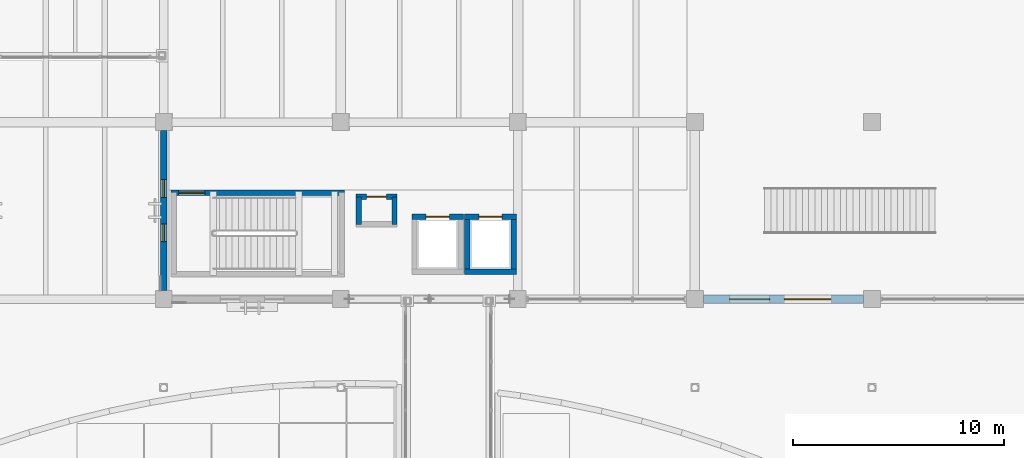
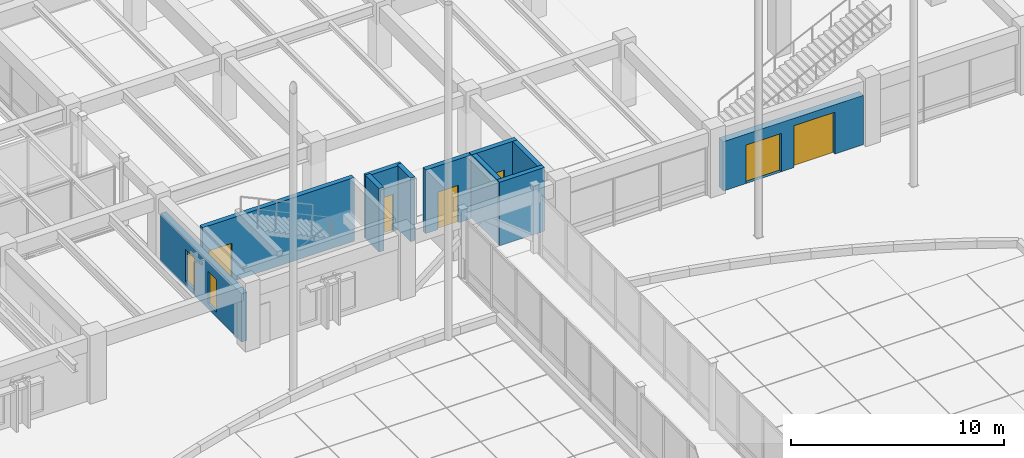
# One storey, part 93 of 135: 11 walls, 6 doors, 2 windows, 8 openings.
"""IFC4 building model written with IfcOpenShell, lengths in metres."""

from ifc_helpers import new_model, si_unit, direction, frame, frame_2d, origin, place, context, subcontext, project, spatial, rectangle, extrude, material, layer, layer_set, type_object, element, fill, save


model = new_model("IFC4")

# Units and contexts
model_context = context("Model", 3, precision=1e-05, world=origin(), true_north=direction((0.0, 1.0)))
body_context = subcontext(model_context, "Body", "Model", "MODEL_VIEW")
ifc_project = project(units=[si_unit("LENGTHUNIT", "METRE"), si_unit("AREAUNIT", "SQUARE_METRE"), si_unit("VOLUMEUNIT", "CUBIC_METRE"), si_unit("PLANEANGLEUNIT", "RADIAN"), si_unit("MASSUNIT", "GRAM", prefix="KILO")], contexts=[model_context])

# Site, building, storey
site_placement = place(None, origin())
site = spatial("IfcSite", under=ifc_project, at=site_placement, CompositionType="ELEMENT")
building_placement = place(site_placement, origin())
building = spatial("IfcBuilding", under=site, at=building_placement, Name="Cumbredor Promenade Congress Hotel", CompositionType="ELEMENT")
storey_placement = place(building_placement, origin())
storey = spatial("IfcBuildingStorey", under=building, at=storey_placement, Name="L00", CompositionType="ELEMENT", Elevation=0.0)

# Wall, openings, windows
ifc_material_1 = material(Name="Concrete C40/50", Category="concrete")
ifc_layer_1 = layer(ifc_material_1, 0.300048828125, Name="Concrete C40/50", Category="concrete")
ifc_layer_set_1 = layer_set([ifc_layer_1], Name="Concrete C40/50")
wall_type_1 = type_object("IfcWallType", Name="WL-EXT-300", PredefinedType="SOLIDWALL", material=ifc_layer_set_1)
wall_1_placement = place(storey_placement, frame((92.39990234375, 84.40087890625, 0.0), z_axis=(0.0, 0.0, 1.0), x_axis=(0.0, 1.0, 0.0)))
wall_1 = element("IfcWall", 1, at=wall_1_placement, inside=storey, type_object=wall_type_1, Name="L00 Pre-Function and Breakout Meeting Forum West Envelope Wall 1", PredefinedType="SOLIDWALL", context=body_context, shape_type="SweptSolid", body=[
    extrude(rectangle(XDim=7.59814453125, YDim=0.300048828125, at=frame_2d((3.799072265625, 0.0))), origin(), (0.0, 0.0, 1.0), 2.77490234375),
])
opening_1_placement = place(wall_1_placement, frame((2.3291015625, 0.0, 0.300048828125)))
opening_1 = element("IfcOpeningElement", 2, at=opening_1_placement, cuts=wall_1, Name="Opening WN-47", PredefinedType="OPENING", context=body_context, shape_type="SweptSolid", body=[
    extrude(rectangle(XDim=0.840087890625, YDim=1.85009765625, at=frame_2d((0.419921875, 0.925048828125))), frame((0.0, 0.16015625, 0.0), z_axis=(0.0, -1.0, 0.0), x_axis=(1.0, 0.0, 0.0)), (0.0, 0.0, 1.0), 0.320068359375),
])
opening_2_placement = place(wall_1_placement, frame((4.428955078125, 0.0, 0.300048828125)))
opening_2 = element("IfcOpeningElement", 3, at=opening_2_placement, cuts=wall_1, Name="Opening WN-47", PredefinedType="OPENING", context=body_context, shape_type="SweptSolid", body=[
    extrude(rectangle(XDim=0.840087890625, YDim=1.85009765625, at=frame_2d((0.419921875, 0.925048828125))), frame((0.0, 0.16015625, 0.0), z_axis=(0.0, -1.0, 0.0), x_axis=(1.0, 0.0, 0.0)), (0.0, 0.0, 1.0), 0.320068359375),
])
ifc_material_2 = material(Name="Thermally broken anodized aluminium and low-E glass", Category="aluminium")
window_type = type_object("IfcWindowType", Name="Vertical Slot Window WN-47 840x1850", PartitioningType="SINGLE_PANEL", PredefinedType="WINDOW", material=ifc_material_2)
window_1_placement = place(opening_1_placement, origin())
window_1 = element("IfcWindow", 4, at=window_1_placement, inside=storey, type_object=window_type, Name="L00 Vertical Slot Window 0053", OverallHeight=1.85009765625, OverallWidth=0.840087890625, PartitioningType="SINGLE_PANEL", PredefinedType="WINDOW", context=body_context, shape_type="SweptSolid", body=[
    extrude(rectangle(XDim=0.840087890625, YDim=1.85009765625, at=frame_2d((0.419921875, 0.925048828125))), frame((0.0, 0.030029296875, 0.0), z_axis=(0.0, -1.0, 0.0), x_axis=(1.0, 0.0, 0.0)), (0.0, 0.0, 1.0), 0.06005859375),
])
fill(opening_1, window_1)
window_2_placement = place(opening_2_placement, origin())
window_2 = element("IfcWindow", 5, at=window_2_placement, inside=storey, type_object=window_type, Name="L00 Vertical Slot Window 0054", OverallHeight=1.85009765625, OverallWidth=0.840087890625, PartitioningType="SINGLE_PANEL", PredefinedType="WINDOW", context=body_context, shape_type="SweptSolid", body=[
    extrude(rectangle(XDim=0.840087890625, YDim=1.85009765625, at=frame_2d((0.419921875, 0.925048828125))), frame((0.0, 0.030029296875, 0.0), z_axis=(0.0, -1.0, 0.0), x_axis=(1.0, 0.0, 0.0)), (0.0, 0.0, 1.0), 0.06005859375),
])
fill(opening_2, window_2)

# Wall, openings, doors
ifc_layer_2 = layer(ifc_material_1, 0.3798828125, Name="Concrete C40/50", Category="concrete")
ifc_layer_set_2 = layer_set([ifc_layer_2], Name="Concrete C40/50")
wall_type_2 = type_object("IfcWallType", Name="WL-EXT-380", PredefinedType="SOLIDWALL", material=ifc_layer_set_2)
wall_2_placement = place(storey_placement, frame((118.0009765625, 84.0, 0.0), z_axis=(0.0, 0.0, 1.0), x_axis=(1.0, 0.0, 0.0)))
wall_2 = element("IfcWall", 6, at=wall_2_placement, inside=storey, type_object=wall_type_2, Name="L00 Pre-Function and Breakout Meeting Forum South Envelope Wall 4", PredefinedType="SOLIDWALL", context=body_context, shape_type="SweptSolid", body=[
    extrude(rectangle(XDim=7.59814453125, YDim=0.3798828125, at=frame_2d((3.799072265625, 0.0))), origin(), (0.0, 0.0, 1.0), 2.824951171875),
])
opening_3_placement = place(wall_2_placement, frame((1.2490234375, 0.0, 0.0)))
opening_3 = element("IfcOpeningElement", 7, at=opening_3_placement, cuts=wall_2, Name="Opening EX-02", PredefinedType="OPENING", context=body_context, shape_type="SweptSolid", body=[
    extrude(rectangle(XDim=1.89990234375, YDim=2.199951171875, at=frame_2d((0.949951171875, 1.10009765625))), frame((0.0, 0.199951171875, 0.0), z_axis=(0.0, -1.0, 0.0), x_axis=(1.0, 0.0, 0.0)), (0.0, 0.0, 1.0), 0.39990234375),
])
opening_4_placement = place(wall_2_placement, frame((3.847900390625, 0.0, 0.0)))
opening_4 = element("IfcOpeningElement", 8, at=opening_4_placement, cuts=wall_2, Name="Opening EX-04", PredefinedType="OPENING", context=body_context, shape_type="SweptSolid", body=[
    extrude(rectangle(XDim=2.199951171875, YDim=2.39990234375, at=frame_2d((1.10009765625, 1.199951171875))), frame((0.0, 0.199951171875, 0.0), z_axis=(0.0, -1.0, 0.0), x_axis=(1.0, 0.0, 0.0)), (0.0, 0.0, 1.0), 0.39990234375),
])
ifc_material_3 = material(Name="Thermally broken anodized aluminium and laminated safety glass", Category="aluminium")
door_type_1 = type_object("IfcDoorType", Name="EXT-DR-EXIT-1900x2200", OperationType="DOUBLE_DOOR_SINGLE_SWING", PredefinedType="DOOR", material=ifc_material_3)
door_1_placement = place(opening_3_placement, frame((1.89990234375, 0.0, 0.0), z_axis=(0.0, 0.0, 1.0), x_axis=(-1.0, 0.0, 0.0)))
door_1 = element("IfcDoor", 9, at=door_1_placement, inside=storey, type_object=door_type_1, Name="L00 Pre-Function and Breakout Meeting Forum South Final Exit Door 21.1", OperationType="DOUBLE_DOOR_SINGLE_SWING", OverallHeight=2.199951171875, OverallWidth=1.89990234375, PredefinedType="DOOR", context=body_context, shape_type="SweptSolid", body=[
    extrude(rectangle(XDim=1.89990234375, YDim=2.199951171875, at=frame_2d((0.949951171875, 1.10009765625))), frame((0.0, 0.02490234375, 0.0), z_axis=(0.0, -1.0, 0.0), x_axis=(1.0, 0.0, 0.0)), (0.0, 0.0, 1.0), 0.050048828125),
])
fill(opening_3, door_1)
door_type_2 = type_object("IfcDoorType", Name="EXT-DR-EXIT-2200x2400", OperationType="DOUBLE_DOOR_SINGLE_SWING", PredefinedType="DOOR", material=ifc_material_3)
door_2_placement = place(opening_4_placement, frame((2.199951171875, 0.0, 0.0), z_axis=(0.0, 0.0, 1.0), x_axis=(-1.0, 0.0, 0.0)))
door_2 = element("IfcDoor", 10, at=door_2_placement, inside=storey, type_object=door_type_2, Name="L00 Pre-Function and Breakout Meeting Forum South Final Exit Door 21.2", OperationType="DOUBLE_DOOR_SINGLE_SWING", OverallHeight=2.39990234375, OverallWidth=2.199951171875, PredefinedType="DOOR", context=body_context, shape_type="SweptSolid", body=[
    extrude(rectangle(XDim=2.199951171875, YDim=2.39990234375, at=frame_2d((1.10009765625, 1.199951171875))), frame((0.0, 0.02490234375, 0.0), z_axis=(0.0, -1.0, 0.0), x_axis=(1.0, 0.0, 0.0)), (0.0, 0.0, 1.0), 0.050048828125),
])
fill(opening_4, door_2)

# Wall, opening, door
ifc_layer_3 = layer(ifc_material_1, 0.2548828125, Name="Concrete C40/50", Category="concrete")
ifc_layer_set_3 = layer_set([ifc_layer_3], Name="Concrete C40/50")
wall_type_3 = type_object("IfcWallType", Name="WL-SHAFT-250", PredefinedType="SOLIDWALL", material=ifc_layer_set_3)
wall_3_placement = place(storey_placement, frame((92.75244140625, 89.050048828125, 0.0), z_axis=(0.0, 0.0, 1.0), x_axis=(1.0, 0.0, 0.0)))
wall_3 = element("IfcWall", 11, at=wall_3_placement, inside=storey, type_object=wall_type_3, Name="STAIR-ST-13-L00 Shaft Wall North", PredefinedType="SOLIDWALL", context=body_context, shape_type="SweptSolid", body=[
    extrude(rectangle(XDim=8.22509765625, YDim=0.2548828125, at=frame_2d((4.112548828125, 0.0))), origin(), (0.0, 0.0, 1.0), 3.639892578125),
])
opening_5_placement = place(wall_3_placement, frame((0.35009765625, 0.0, 0.0)))
opening_5 = element("IfcOpeningElement", 12, at=opening_5_placement, cuts=wall_3, Name="Opening SD-02", PredefinedType="OPENING", context=body_context, shape_type="SweptSolid", body=[
    extrude(rectangle(XDim=1.25, YDim=2.199951171875, at=frame_2d((0.625, 1.10009765625))), frame((0.0, 0.137451171875, 0.0), z_axis=(0.0, -1.0, 0.0), x_axis=(1.0, 0.0, 0.0)), (0.0, 0.0, 1.0), 0.27490234375),
])
ifc_material_4 = material(Name="Painted galvanized steel fire door", Category="steel")
door_type_3 = type_object("IfcDoorType", Name="DR-STAIR-FD90-1250", OperationType="NOTDEFINED", PredefinedType="DOOR", material=ifc_material_4)
door_3_placement = place(opening_5_placement, origin())
door_3 = element("IfcDoor", 13, at=door_3_placement, inside=storey, type_object=door_type_3, Name="L00 Protected Exit Stair ST-13 Door", OperationType="SINGLE_SWING_RIGHT", OverallHeight=2.199951171875, OverallWidth=1.25, PredefinedType="DOOR", context=body_context, shape_type="SweptSolid", body=[
    extrude(rectangle(XDim=1.25, YDim=2.199951171875, at=frame_2d((0.625, 1.10009765625))), frame((0.0, 0.02490234375, 0.0), z_axis=(0.0, -1.0, 0.0), x_axis=(1.0, 0.0, 0.0)), (0.0, 0.0, 1.0), 0.050048828125),
])
fill(opening_5, door_3)

wall_4_placement = place(storey_placement, frame((104.172607421875, 87.89990234375, 0.0), z_axis=(0.0, 0.0, 1.0), x_axis=(1.0, 0.0, 0.0)))
wall_4 = element("IfcWall", 14, at=wall_4_placement, inside=storey, type_object=wall_type_3, Name="SHAFT-PL-09-L00 Shaft Wall North", PredefinedType="SOLIDWALL", context=body_context, shape_type="SweptSolid", body=[
    extrude(rectangle(XDim=2.454833984375, YDim=0.2548828125, at=frame_2d((1.2275390625, 0.0))), origin(), (0.0, 0.0, 1.0), 3.639892578125),
])
opening_6_placement = place(wall_4_placement, frame((0.677490234375, 0.0, 0.0)))
opening_6 = element("IfcOpeningElement", 15, at=opening_6_placement, cuts=wall_4, Name="Opening LD-01", PredefinedType="OPENING", context=body_context, shape_type="SweptSolid", body=[
    extrude(rectangle(XDim=1.10009765625, YDim=2.14990234375, at=frame_2d((0.550048828125, 1.074951171875))), frame((0.0, 0.137451171875, 0.0), z_axis=(0.0, -1.0, 0.0), x_axis=(1.0, 0.0, 0.0)), (0.0, 0.0, 1.0), 0.27490234375),
])
ifc_material_5 = material(Name="Brushed stainless steel", Category="steel")
door_type_4 = type_object("IfcDoorType", Name="Lift Landing Sliding Door LD-01 1100x2150", OperationType="DOUBLE_DOOR_SLIDING", PredefinedType="DOOR", material=ifc_material_5)
door_4_placement = place(opening_6_placement, origin())
door_4 = element("IfcDoor", 16, at=door_4_placement, inside=storey, type_object=door_type_4, Name="L00 Forum Congress Lift PL-09 Sliding Landing Door", OperationType="DOUBLE_DOOR_SLIDING", OverallHeight=2.14990234375, OverallWidth=1.10009765625, PredefinedType="DOOR", context=body_context, shape_type="SweptSolid", body=[
    extrude(rectangle(XDim=1.10009765625, YDim=2.14990234375, at=frame_2d((0.550048828125, 1.074951171875))), frame((0.0, 0.02490234375, 0.0), z_axis=(0.0, -1.0, 0.0), x_axis=(1.0, 0.0, 0.0)), (0.0, 0.0, 1.0), 0.050048828125),
])
fill(opening_6, door_4)

# Wall
wall_5_placement = place(storey_placement, frame((106.672607421875, 85.300048828125, 0.0), z_axis=(0.0, 0.0, 1.0), x_axis=(1.0, 0.0, 0.0)))
element("IfcWall", 17, at=wall_5_placement, inside=storey, type_object=wall_type_3, Name="SHAFT-PL-10-L00 Shaft Wall South", PredefinedType="SOLIDWALL", context=body_context, shape_type="SweptSolid", body=[
    extrude(rectangle(XDim=2.454833984375, YDim=0.2548828125, at=frame_2d((1.2275390625, 0.0))), origin(), (0.0, 0.0, 1.0), 3.639892578125),
])

# Wall, opening, door
wall_6_placement = place(storey_placement, frame((106.672607421875, 87.89990234375, 0.0), z_axis=(0.0, 0.0, 1.0), x_axis=(1.0, 0.0, 0.0)))
wall_6 = element("IfcWall", 18, at=wall_6_placement, inside=storey, type_object=wall_type_3, Name="SHAFT-PL-10-L00 Shaft Wall North", PredefinedType="SOLIDWALL", context=body_context, shape_type="SweptSolid", body=[
    extrude(rectangle(XDim=2.454833984375, YDim=0.2548828125, at=frame_2d((1.2275390625, 0.0))), origin(), (0.0, 0.0, 1.0), 3.639892578125),
])
opening_7_placement = place(wall_6_placement, frame((0.677490234375, 0.0, 0.0)))
opening_7 = element("IfcOpeningElement", 19, at=opening_7_placement, cuts=wall_6, Name="Opening LD-01", PredefinedType="OPENING", context=body_context, shape_type="SweptSolid", body=[
    extrude(rectangle(XDim=1.10009765625, YDim=2.14990234375, at=frame_2d((0.550048828125, 1.074951171875))), frame((0.0, 0.137451171875, 0.0), z_axis=(0.0, -1.0, 0.0), x_axis=(1.0, 0.0, 0.0)), (0.0, 0.0, 1.0), 0.27490234375),
])
door_5_placement = place(opening_7_placement, origin())
door_5 = element("IfcDoor", 20, at=door_5_placement, inside=storey, type_object=door_type_4, Name="L00 Forum Congress Lift PL-10 Sliding Landing Door", OperationType="DOUBLE_DOOR_SLIDING", OverallHeight=2.14990234375, OverallWidth=1.10009765625, PredefinedType="DOOR", context=body_context, shape_type="SweptSolid", body=[
    extrude(rectangle(XDim=1.10009765625, YDim=2.14990234375, at=frame_2d((0.550048828125, 1.074951171875))), frame((0.0, 0.02490234375, 0.0), z_axis=(0.0, -1.0, 0.0), x_axis=(1.0, 0.0, 0.0)), (0.0, 0.0, 1.0), 0.050048828125),
])
fill(opening_7, door_5)

# Walls
for number, where, z_axis, x_axis, name in (
    (21, (106.800048828125, 85.300048828125, 0.0), (0.0, 0.0, 1.0), (0.0, 1.0, 0.0), "SHAFT-PL-10-L00 Shaft Wall West"),
    (22, (109.0, 85.300048828125, 0.0), (0.0, 0.0, 1.0), (0.0, 1.0, 0.0), "SHAFT-PL-10-L00 Shaft Wall East"),
):
    element("IfcWall", number, at=place(storey_placement, frame(where, z_axis=z_axis, x_axis=x_axis)), inside=storey, type_object=wall_type_3, Name=name, PredefinedType="SOLIDWALL", context=body_context, shape_type="SweptSolid", body=[
        extrude(rectangle(XDim=2.599853515625, YDim=0.2548828125, at=frame_2d((1.2998046875, 0.0))), origin(), (0.0, 0.0, 1.0), 3.639892578125),
    ])

# Wall, opening, door
wall_7_placement = place(storey_placement, frame((101.5224609375, 88.85009765625, 0.0), z_axis=(0.0, 0.0, 1.0), x_axis=(1.0, 0.0, 0.0)))
wall_7 = element("IfcWall", 23, at=wall_7_placement, inside=storey, type_object=wall_type_3, Name="RISER-MEP-R4-L00 Shaft Wall North", PredefinedType="SOLIDWALL", context=body_context, shape_type="SweptSolid", body=[
    extrude(rectangle(XDim=1.955078125, YDim=0.2548828125, at=frame_2d((0.9775390625, 0.0))), origin(), (0.0, 0.0, 1.0), 3.639892578125),
])
opening_8_placement = place(wall_7_placement, frame((0.507568359375, 0.0, 0.0)))
opening_8 = element("IfcOpeningElement", 24, at=opening_8_placement, cuts=wall_7, Name="Opening FD-03", PredefinedType="OPENING", context=body_context, shape_type="SweptSolid", body=[
    extrude(rectangle(XDim=0.93994140625, YDim=2.10009765625, at=frame_2d((0.469970703125, 1.050048828125))), frame((0.0, 0.137451171875, 0.0), z_axis=(0.0, -1.0, 0.0), x_axis=(1.0, 0.0, 0.0)), (0.0, 0.0, 1.0), 0.27490234375),
])
door_type_5 = type_object("IfcDoorType", Name="DR-SGL-FD60-950", OperationType="NOTDEFINED", PredefinedType="DOOR", material=ifc_material_4)
door_6_placement = place(opening_8_placement, origin())
door_6 = element("IfcDoor", 25, at=door_6_placement, inside=storey, type_object=door_type_5, Name="L00 Forum MEP Riser Shaft R4 Access Door", OperationType="SINGLE_SWING_LEFT", OverallHeight=2.10009765625, OverallWidth=0.93994140625, PredefinedType="DOOR", context=body_context, shape_type="SweptSolid", body=[
    extrude(rectangle(XDim=0.93994140625, YDim=2.10009765625, at=frame_2d((0.469970703125, 1.050048828125))), frame((0.0, 0.02490234375, 0.0), z_axis=(0.0, -1.0, 0.0), x_axis=(1.0, 0.0, 0.0)), (0.0, 0.0, 1.0), 0.050048828125),
])
fill(opening_8, door_6)

# Walls
for number, where, z_axis, x_axis, name in (
    (26, (101.64990234375, 87.550048828125, 0.0), (0.0, 0.0, 1.0), (0.0, 1.0, 0.0), "RISER-MEP-R4-L00 Shaft Wall West"),
    (27, (103.35009765625, 87.550048828125, 0.0), (0.0, 0.0, 1.0), (0.0, 1.0, 0.0), "RISER-MEP-R4-L00 Shaft Wall East"),
):
    element("IfcWall", number, at=place(storey_placement, frame(where, z_axis=z_axis, x_axis=x_axis)), inside=storey, type_object=wall_type_3, Name=name, PredefinedType="SOLIDWALL", context=body_context, shape_type="SweptSolid", body=[
        extrude(rectangle(XDim=1.300048828125, YDim=0.2548828125, at=frame_2d((0.64990234375, 0.0))), origin(), (0.0, 0.0, 1.0), 3.639892578125),
    ])

save(model, "model.ifc")
